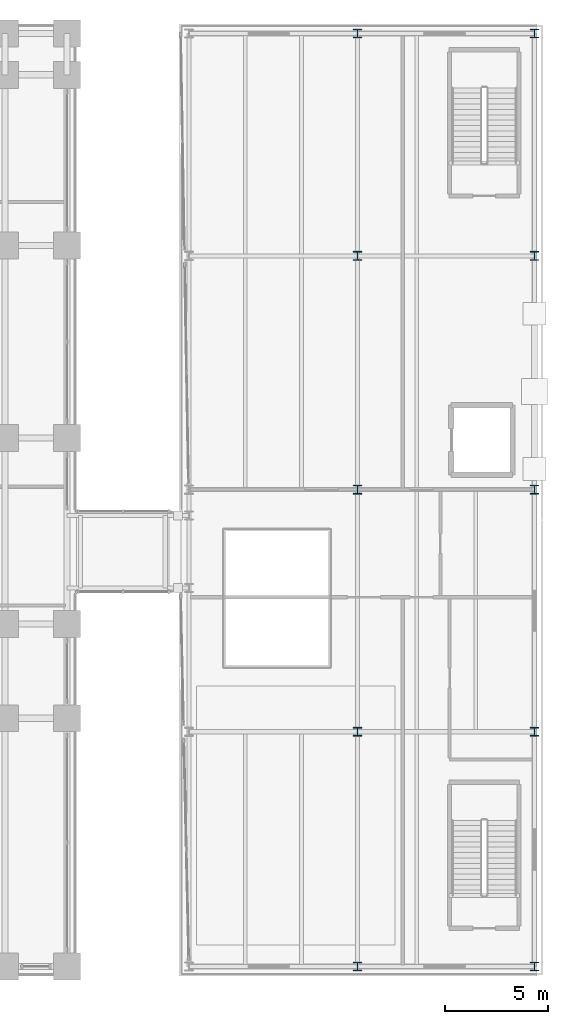
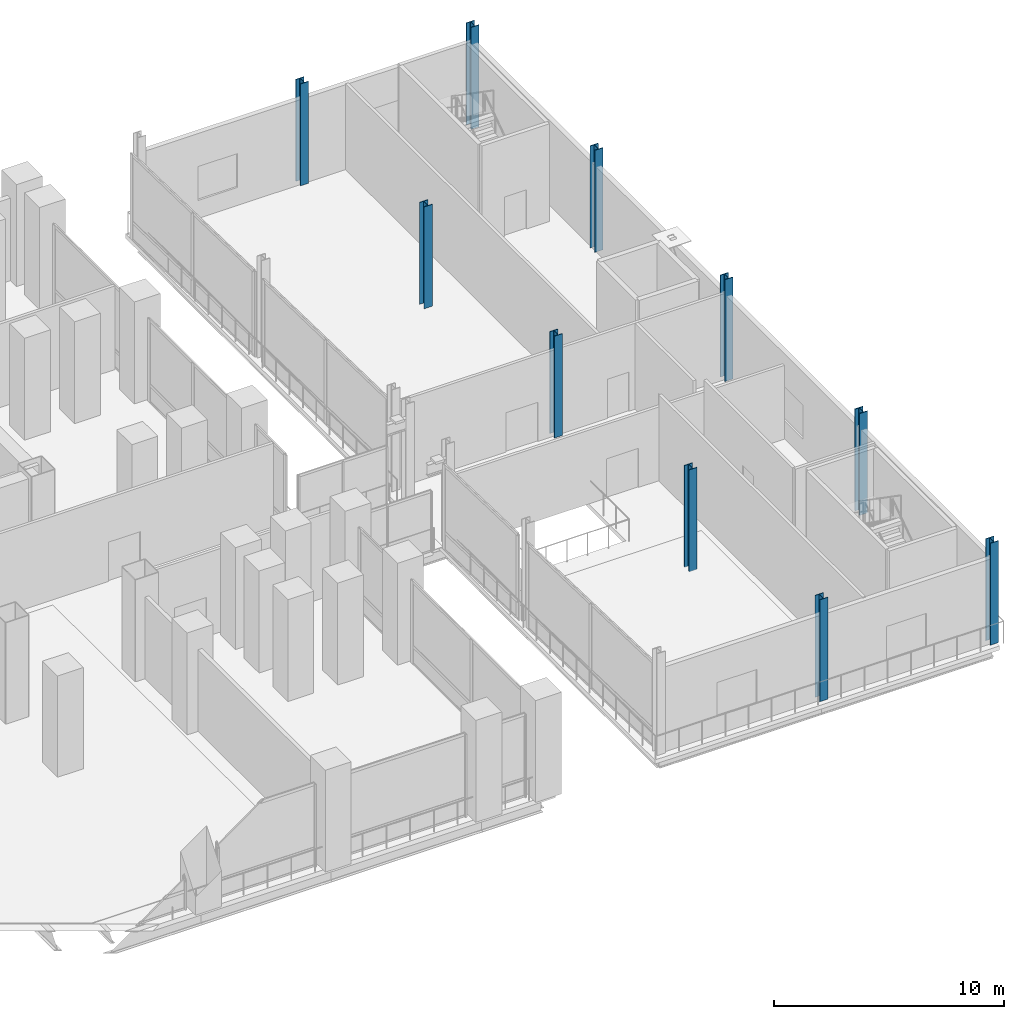
# One storey, part 3 of 31: 10 columns.
"""IFC4 building model written with IfcOpenShell, lengths in metres."""

from ifc_helpers import new_model, si_unit, direction, frame, origin, origin_2d, place, context, subcontext, project, spatial, i_section, extrude, material, material_profile, profile_set, type_object, element, save


model = new_model("IFC4")

# Units and contexts
model_context = context("Model", 3, precision=1e-05, world=origin(), true_north=direction((0.0, 1.0)))
body_context = subcontext(model_context, "Body", "Model", "MODEL_VIEW")
ifc_project = project(units=[si_unit("LENGTHUNIT", "METRE"), si_unit("AREAUNIT", "SQUARE_METRE"), si_unit("VOLUMEUNIT", "CUBIC_METRE"), si_unit("PLANEANGLEUNIT", "RADIAN"), si_unit("MASSUNIT", "GRAM", prefix="KILO")], contexts=[model_context])

# Site, building, storey
site_placement = place(None, origin())
site = spatial("IfcSite", under=ifc_project, at=site_placement, CompositionType="ELEMENT")
building_placement = place(site_placement, origin())
building = spatial("IfcBuilding", under=site, at=building_placement, Name="Noeulbin Bourse Tower", CompositionType="ELEMENT")
storey_placement = place(building_placement, frame((0.0, 0.0, 11.199951171875)))
storey = spatial("IfcBuildingStorey", under=building, at=storey_placement, Name="L03", CompositionType="ELEMENT", Elevation=11.199951171875)

# Columns
ifc_material = material(Name="Steel S355", Category="steel")
ifc_material_profile = material_profile(ifc_material, i_section(OverallWidth=0.406982421875, OverallDepth=0.427978515625, WebThickness=0.02001953125, FlangeThickness=0.034912109375, FilletRadius=0.02197265625, at=origin_2d()), Name="H-428x407x20x35", Category="LoadBearing")
ifc_profile_set = profile_set([ifc_material_profile], Name="Steel S355")
column_type = type_object("IfcColumnType", Name="COL-MKT-ST", PredefinedType="COLUMN", material=ifc_profile_set)
for number, where, z_axis, x_axis, name in (
    (1, (68.60009765625, 3.449951171875, 0.0), (0.0, 0.0, 1.0), (1.0, 0.0, 0.0), "Market Hall Column COL-MKT-ST 08"),
    (2, (68.60009765625, 14.800048828125, 0.0), (0.0, 0.0, 1.0), (1.0, 0.0, 0.0), "Market Hall Column COL-MKT-ST 09"),
    (3, (68.60009765625, 26.5, 0.0), (0.0, 0.0, 1.0), (1.0, 0.0, 0.0), "Market Hall Column COL-MKT-ST 10"),
    (4, (68.60009765625, 37.800048828125, 0.0), (0.0, 0.0, 1.0), (1.0, 0.0, 0.0), "Market Hall Column COL-MKT-ST 11"),
    (5, (68.60009765625, 48.550048828125, 0.0), (0.0, 0.0, 1.0), (1.0, 0.0, 0.0), "Market Hall Column COL-MKT-ST 12"),
    (6, (77.14990234375, 3.449951171875, 0.0), (0.0, 0.0, 1.0), (1.0, 0.0, 0.0), "Market Hall Column COL-MKT-ST 13"),
    (7, (77.14990234375, 14.800048828125, 0.0), (0.0, 0.0, 1.0), (1.0, 0.0, 0.0), "Market Hall Column COL-MKT-ST 14"),
    (8, (77.14990234375, 26.5, 0.0), (0.0, 0.0, 1.0), (1.0, 0.0, 0.0), "Market Hall Column COL-MKT-ST 15"),
    (9, (77.14990234375, 37.800048828125, 0.0), (0.0, 0.0, 1.0), (1.0, 0.0, 0.0), "Market Hall Column COL-MKT-ST 16"),
    (10, (77.14990234375, 48.550048828125, 0.0), (0.0, 0.0, 1.0), (1.0, 0.0, 0.0), "Market Hall Column COL-MKT-ST 17"),
):
    element("IfcColumn", number, at=place(storey_placement, frame(where, z_axis=z_axis, x_axis=x_axis)), inside=storey, type_object=column_type, Name=name, PredefinedType="COLUMN", context=body_context, shape_type="SweptSolid", body=[
        extrude(i_section(OverallWidth=0.406982421875, OverallDepth=0.427978515625, WebThickness=0.02001953125, FlangeThickness=0.034912109375, FilletRadius=0.02197265625, at=origin_2d()), origin(), (0.0, 0.0, 1.0), 5.400146484375),
    ])

save(model, "model.ifc")
